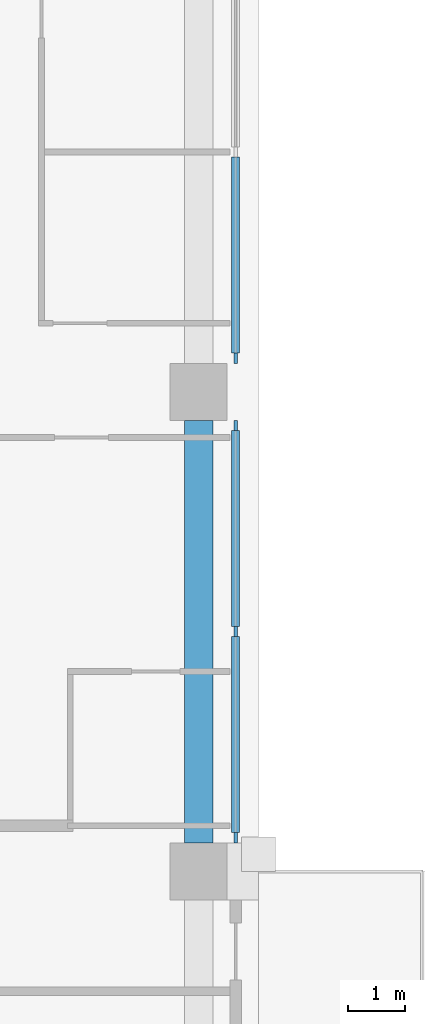
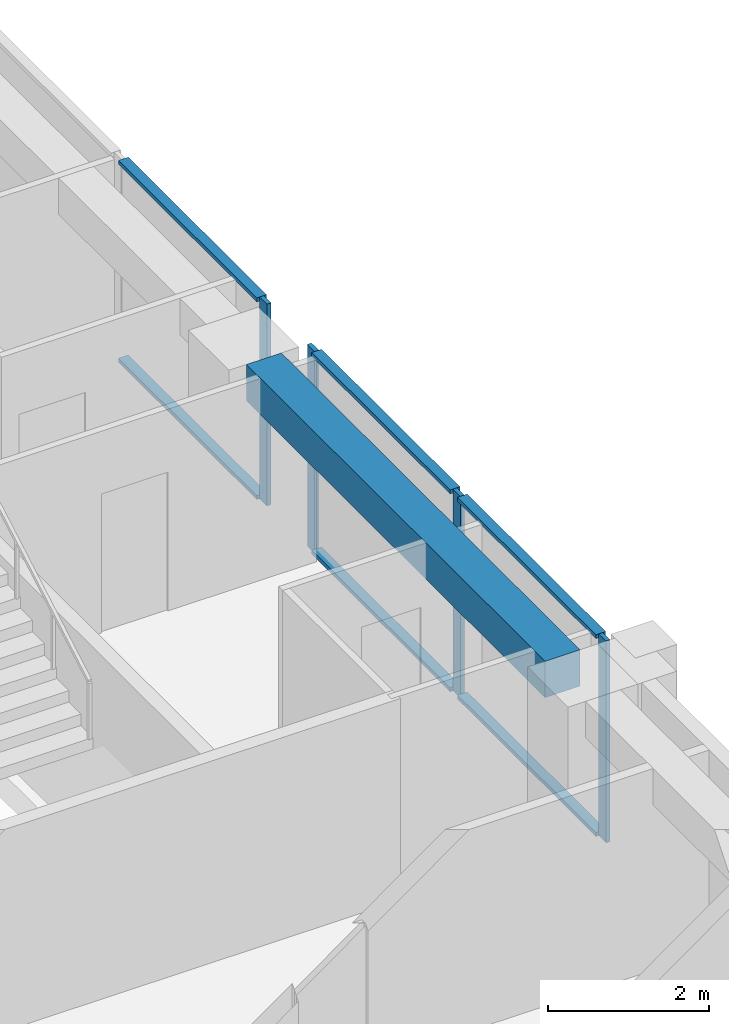
# One storey, part 4 of 17: 10 members, 1 beam, 2 elements without a shape of their own.
"""IFC4 building model written with IfcOpenShell, lengths in metres."""

from ifc_helpers import new_model, si_unit, direction, frame, origin, origin_2d, place, context, subcontext, project, spatial, rectangle, extrude, material, material_profile, profile_set, type_object, element, aggregate, save


model = new_model("IFC4")

# Units and contexts
model_context = context("Model", 3, precision=1e-05, world=origin(), true_north=direction((0.0, 1.0)))
body_context = subcontext(model_context, "Body", "Model", "MODEL_VIEW")
ifc_project = project(units=[si_unit("LENGTHUNIT", "METRE"), si_unit("AREAUNIT", "SQUARE_METRE"), si_unit("VOLUMEUNIT", "CUBIC_METRE"), si_unit("PLANEANGLEUNIT", "RADIAN"), si_unit("MASSUNIT", "GRAM", prefix="KILO")], contexts=[model_context])

# Site, building, storey
site_placement = place(None, origin())
site = spatial("IfcSite", under=ifc_project, at=site_placement, CompositionType="ELEMENT")
building_placement = place(site_placement, origin())
building = spatial("IfcBuilding", under=site, at=building_placement, Name="Vermilion Ogive Tower", CompositionType="ELEMENT")
storey_placement = place(building_placement, frame((0.0, 0.0, 189.35009765625)))
storey = spatial("IfcBuildingStorey", under=building, at=storey_placement, Name="L49", CompositionType="ELEMENT", Elevation=189.35009765625)

# Curtain wall, members
ifc_material_1 = material(Name="Low-iron laminated glazing in aluminium frame", Category="aluminium")
curtain_wall_type = type_object("IfcCurtainWallType", Name="Curtain wall CW7", PredefinedType="NOTDEFINED", material=ifc_material_1)
curtain_wall_1_placement = place(storey_placement, origin())
curtain_wall_1 = element("IfcCurtainWall", 1, at=curtain_wall_1_placement, inside=storey, type_object=curtain_wall_type, Name="Glazed skin E2", PredefinedType="NOTDEFINED")
ifc_material_2 = material(Name="Aluminium mullion", Category="aluminium")
ifc_material_profile_1 = material_profile(ifc_material_2, rectangle(XDim=0.06005859375, YDim=0.179931640625, at=origin_2d()), Name="AL 60x180")
ifc_profile_set_1 = profile_set([ifc_material_profile_1], Name="Aluminium mullion")
member_type_1 = type_object("IfcMemberType", Name="CW7 mullion 60x180", PredefinedType="MULLION", material=ifc_profile_set_1)
member_1_placement = place(storey_placement, frame((25.85009765625, -3.610107421875, 0.0), z_axis=(0.0, 0.0, 1.0), x_axis=(-1.0, 0.0, 0.0)))
member_1 = element("IfcMember", 2, at=member_1_placement, type_object=member_type_1, Name="CW7-E2 mullion 1", PredefinedType="MULLION", context=body_context, shape_type="SweptSolid", body=[
    extrude(rectangle(XDim=0.06005859375, YDim=0.179931640625, at=origin_2d()), origin(), (0.0, 0.0, 1.0), 3.0498046875),
])
member_2_placement = place(storey_placement, frame((25.85009765625, 0.0, 0.0), z_axis=(0.0, 0.0, 1.0), x_axis=(-1.0, 0.0, 0.0)))
member_2 = element("IfcMember", 3, at=member_2_placement, type_object=member_type_1, Name="CW7-E2 mullion 2", PredefinedType="MULLION", context=body_context, shape_type="SweptSolid", body=[
    extrude(rectangle(XDim=0.06005859375, YDim=0.179931640625, at=origin_2d()), origin(), (0.0, 0.0, 1.0), 3.0498046875),
])
member_3_placement = place(storey_placement, frame((25.85009765625, 3.610107421875, 0.0), z_axis=(0.0, 0.0, 1.0), x_axis=(-1.0, 0.0, 0.0)))
member_3 = element("IfcMember", 4, at=member_3_placement, type_object=member_type_1, Name="CW7-E2 mullion 3", PredefinedType="MULLION", context=body_context, shape_type="SweptSolid", body=[
    extrude(rectangle(XDim=0.06005859375, YDim=0.179931640625, at=origin_2d()), origin(), (0.0, 0.0, 1.0), 3.0498046875),
])

# Curtain wall, member
curtain_wall_2_placement = place(storey_placement, origin())
curtain_wall_2 = element("IfcCurtainWall", 5, at=curtain_wall_2_placement, inside=storey, type_object=curtain_wall_type, Name="Glazed skin E3", PredefinedType="NOTDEFINED")
member_4_placement = place(storey_placement, frame((25.85009765625, 4.7900390625, 0.0), z_axis=(0.0, 0.0, 1.0), x_axis=(-1.0, 0.0, 0.0)))
member_4 = element("IfcMember", 6, at=member_4_placement, type_object=member_type_1, Name="CW7-E3 mullion 1", PredefinedType="MULLION", context=body_context, shape_type="SweptSolid", body=[
    extrude(rectangle(XDim=0.06005859375, YDim=0.179931640625, at=origin_2d()), origin(), (0.0, 0.0, 1.0), 3.0498046875),
])

# Member
ifc_material_3 = material(Name="Aluminium transom", Category="aluminium")
ifc_material_profile_2 = material_profile(ifc_material_3, rectangle(XDim=0.139892578125, YDim=0.06005859375, at=origin_2d()), Name="AL 60x140")
ifc_profile_set_2 = profile_set([ifc_material_profile_2], Name="Aluminium transom")
member_type_2 = type_object("IfcMemberType", Name="CW7 transom 60x140", PredefinedType="USERDEFINED", material=ifc_profile_set_2)
member_5_placement = place(storey_placement, frame((25.85009765625, -3.52001953125, 0.02978515625), z_axis=(0.0, 1.0, 0.0), x_axis=(-1.0, 0.0, 0.0)))
member_5 = element("IfcMember", 7, at=member_5_placement, type_object=member_type_2, Name="CW7-E2 transom 1.1", ObjectType="TRANSOM", PredefinedType="USERDEFINED", context=body_context, shape_type="SweptSolid", body=[
    extrude(rectangle(XDim=0.139892578125, YDim=0.06005859375, at=origin_2d()), origin(), (0.0, 0.0, 1.0), 3.429931640625),
])

member_6_placement = place(storey_placement, frame((25.85009765625, -3.52001953125, 3.02001953125), z_axis=(0.0, 1.0, 0.0), x_axis=(-1.0, 0.0, 0.0)))
member_6 = element("IfcMember", 8, at=member_6_placement, type_object=member_type_2, Name="CW7-E2 transom 1.2", ObjectType="TRANSOM", PredefinedType="USERDEFINED", context=body_context, shape_type="SweptSolid", body=[
    extrude(rectangle(XDim=0.139892578125, YDim=0.06005859375, at=origin_2d()), origin(), (0.0, 0.0, 1.0), 3.429931640625),
])

member_7_placement = place(storey_placement, frame((25.85009765625, 0.090087890625, 0.02978515625), z_axis=(0.0, 1.0, 0.0), x_axis=(-1.0, 0.0, 0.0)))
member_7 = element("IfcMember", 9, at=member_7_placement, type_object=member_type_2, Name="CW7-E2 transom 2.1", ObjectType="TRANSOM", PredefinedType="USERDEFINED", context=body_context, shape_type="SweptSolid", body=[
    extrude(rectangle(XDim=0.139892578125, YDim=0.06005859375, at=origin_2d()), origin(), (0.0, 0.0, 1.0), 3.429931640625),
])

member_8_placement = place(storey_placement, frame((25.85009765625, 0.090087890625, 3.02001953125), z_axis=(0.0, 1.0, 0.0), x_axis=(-1.0, 0.0, 0.0)))
member_8 = element("IfcMember", 10, at=member_8_placement, type_object=member_type_2, Name="CW7-E2 transom 2.2", ObjectType="TRANSOM", PredefinedType="USERDEFINED", context=body_context, shape_type="SweptSolid", body=[
    extrude(rectangle(XDim=0.139892578125, YDim=0.06005859375, at=origin_2d()), origin(), (0.0, 0.0, 1.0), 3.429931640625),
])

aggregate(curtain_wall_1, [member_1, member_2, member_3, member_5, member_6, member_7, member_8])

member_9_placement = place(storey_placement, frame((25.85009765625, 4.8798828125, 0.02978515625), z_axis=(0.0, 1.0, 0.0), x_axis=(-1.0, 0.0, 0.0)))
member_9 = element("IfcMember", 11, at=member_9_placement, type_object=member_type_2, Name="CW7-E3 transom 1.1", ObjectType="TRANSOM", PredefinedType="USERDEFINED", context=body_context, shape_type="SweptSolid", body=[
    extrude(rectangle(XDim=0.139892578125, YDim=0.06005859375, at=origin_2d()), origin(), (0.0, 0.0, 1.0), 3.43017578125),
])

member_10_placement = place(storey_placement, frame((25.85009765625, 4.8798828125, 3.02001953125), z_axis=(0.0, 1.0, 0.0), x_axis=(-1.0, 0.0, 0.0)))
member_10 = element("IfcMember", 12, at=member_10_placement, type_object=member_type_2, Name="CW7-E3 transom 1.2", ObjectType="TRANSOM", PredefinedType="USERDEFINED", context=body_context, shape_type="SweptSolid", body=[
    extrude(rectangle(XDim=0.139892578125, YDim=0.06005859375, at=origin_2d()), origin(), (0.0, 0.0, 1.0), 3.43017578125),
])

aggregate(curtain_wall_2, [member_4, member_9, member_10])

# Beam
ifc_material_4 = material(Name="Concrete B45", Category="concrete")
ifc_material_profile_3 = material_profile(ifc_material_4, rectangle(XDim=0.5, YDim=0.550048828125, at=origin_2d()), Name="500 x 550")
ifc_profile_set_3 = profile_set([ifc_material_profile_3], Name="Concrete B45")
beam_type = type_object("IfcBeamType", Name="Edge beam 500 x 550 B45", PredefinedType="BEAM", material=ifc_profile_set_3)
beam_placement = place(storey_placement, frame((25.199951171875, -3.699951171875, 2.77490234375), z_axis=(0.0, 1.0, 0.0), x_axis=(-1.0, 0.0, 0.0)))
element("IfcBeam", 13, at=beam_placement, inside=storey, type_object=beam_type, Name="L49-EB-8", PredefinedType="BEAM", context=body_context, shape_type="SweptSolid", body=[
    extrude(rectangle(XDim=0.5, YDim=0.550048828125, at=origin_2d()), origin(), (0.0, 0.0, 1.0), 7.39990234375),
])

save(model, "model.ifc")
